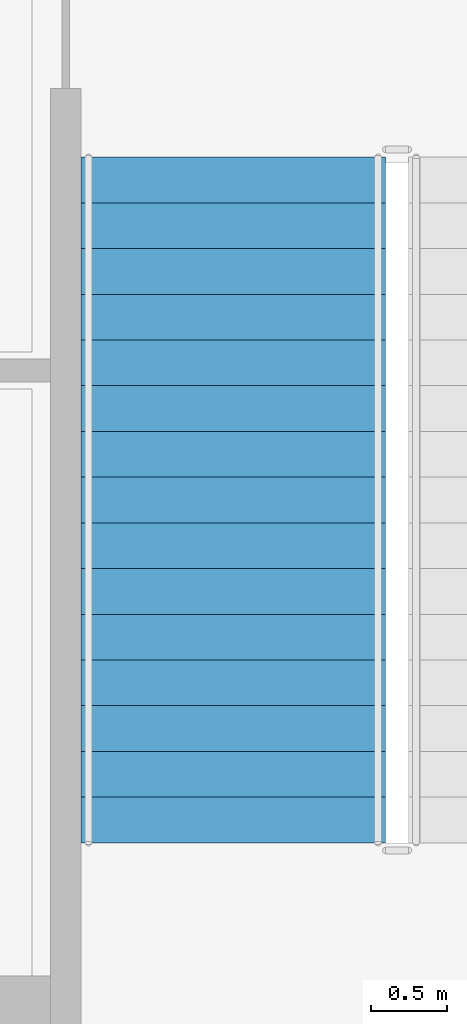
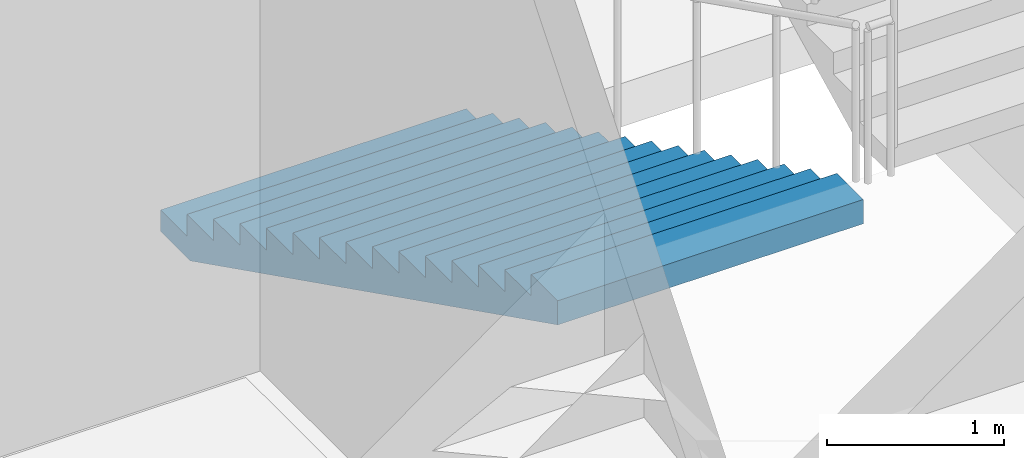
# One storey, part 56 of 67: 1 stair flight, 1 element without a shape of its own.
"""IFC4 building model written with IfcOpenShell, lengths in metres."""

from ifc_helpers import new_model, si_unit, direction, frame, origin, place, context, subcontext, project, spatial, faceted_brep, material, type_object, element, aggregate, save


model = new_model("IFC4")

# Units and contexts
model_context = context("Model", 3, precision=1e-05, world=origin(), true_north=direction((0.0, 1.0)))
body_context = subcontext(model_context, "Body", "Model", "MODEL_VIEW")
ifc_project = project(units=[si_unit("LENGTHUNIT", "METRE"), si_unit("AREAUNIT", "SQUARE_METRE"), si_unit("VOLUMEUNIT", "CUBIC_METRE"), si_unit("PLANEANGLEUNIT", "RADIAN"), si_unit("MASSUNIT", "GRAM", prefix="KILO")], contexts=[model_context])

# Site, building, storey
site_placement = place(None, origin())
site = spatial("IfcSite", under=ifc_project, at=site_placement, CompositionType="ELEMENT")
building_placement = place(site_placement, origin())
building = spatial("IfcBuilding", under=site, at=building_placement, Name="Kiln Court Media Centre", CompositionType="ELEMENT")
storey_placement = place(building_placement, frame((0.0, 0.0, 19.800048828125)))
storey = spatial("IfcBuildingStorey", under=building, at=storey_placement, Name="L04", CompositionType="ELEMENT", Elevation=19.800048828125)

# Stair, stair flight
ifc_material_1 = material(Name="Concrete C40/50", Category="concrete")
stair_type = type_object("IfcStairType", Name="Concrete C40/50 dog-leg stair 2000 wide, 150 riser", PredefinedType="HALF_TURN_STAIR", material=ifc_material_1)
stair_placement = place(storey_placement, origin())
stair = element("IfcStair", 1, at=stair_placement, inside=storey, type_object=stair_type, Name="ST-08 L04", PredefinedType="HALF_TURN_STAIR")
ifc_material_2 = material(Name="Concrete C40/50", Category="concrete")
stair_flight_type = type_object("IfcStairFlightType", Name="Concrete C40/50 stair flight 2000 wide, 150 riser, 300 going", PredefinedType="STRAIGHT", material=ifc_material_2)
stair_flight_placement = place(storey_placement, frame((30.0, 64.39990234375, 0.0), z_axis=(0.0, 0.0, 1.0), x_axis=(0.0, -1.0, 0.0)))
stair_flight = element("IfcStairFlight", 2, at=stair_flight_placement, type_object=stair_flight_type, Name="L04-ST-5005 flight 5010", NumberOfRisers=16, NumberOfTreads=15, PredefinedType="STRAIGHT", RiserHeight=0.15, TreadLength=0.3, context=body_context, shape_type="Brep", body=[
    faceted_brep([(0.335205078125, -1.0, 0.0), (4.5, -1.0, 2.08251953125), (4.5, -1.0, 2.25), (4.199951171875, -1.0, 2.25), (4.199951171875, -1.0, 2.10009765625), (3.89990234375, -1.0, 2.10009765625), (3.89990234375, -1.0, 1.949951171875), (3.60009765625, -1.0, 1.949951171875), (3.60009765625, -1.0, 1.800048828125), (3.300048828125, -1.0, 1.800048828125), (3.300048828125, -1.0, 1.64990234375), (3.0, -1.0, 1.64990234375), (3.0, -1.0, 1.5), (2.699951171875, -1.0, 1.5), (2.699951171875, -1.0, 1.35009765625), (2.39990234375, -1.0, 1.35009765625), (2.39990234375, -1.0, 1.199951171875), (2.10009765625, -1.0, 1.199951171875), (2.10009765625, -1.0, 1.050048828125), (1.800048828125, -1.0, 1.050048828125), (1.800048828125, -1.0, 0.89990234375), (1.5, -1.0, 0.89990234375), (1.5, -1.0, 0.75), (1.199951171875, -1.0, 0.75), (1.199951171875, -1.0, 0.60009765625), (0.89990234375, -1.0, 0.60009765625), (0.89990234375, -1.0, 0.449951171875), (0.60009765625, -1.0, 0.449951171875), (0.60009765625, -1.0, 0.300048828125), (0.300048828125, -1.0, 0.300048828125), (0.300048828125, -1.0, 0.14990234375), (0.0, -1.0, 0.14990234375), (0.0, -1.0, 0.0), (0.0, 1.0, 0.0), (0.0, 1.0, 0.14990234375), (0.300048828125, 1.0, 0.14990234375), (0.300048828125, 1.0, 0.300048828125), (0.60009765625, 1.0, 0.300048828125), (0.60009765625, 1.0, 0.449951171875), (0.89990234375, 1.0, 0.449951171875), (0.89990234375, 1.0, 0.60009765625), (1.199951171875, 1.0, 0.60009765625), (1.199951171875, 1.0, 0.75), (1.5, 1.0, 0.75), (1.5, 1.0, 0.89990234375), (1.800048828125, 1.0, 0.89990234375), (1.800048828125, 1.0, 1.050048828125), (2.10009765625, 1.0, 1.050048828125), (2.10009765625, 1.0, 1.199951171875), (2.39990234375, 1.0, 1.199951171875), (2.39990234375, 1.0, 1.35009765625), (2.699951171875, 1.0, 1.35009765625), (2.699951171875, 1.0, 1.5), (3.0, 1.0, 1.5), (3.0, 1.0, 1.64990234375), (3.300048828125, 1.0, 1.64990234375), (3.300048828125, 1.0, 1.800048828125), (3.60009765625, 1.0, 1.800048828125), (3.60009765625, 1.0, 1.949951171875), (3.89990234375, 1.0, 1.949951171875), (3.89990234375, 1.0, 2.10009765625), (4.199951171875, 1.0, 2.10009765625), (4.199951171875, 1.0, 2.25), (4.5, 1.0, 2.25), (4.5, 1.0, 2.08251953125), (0.335205078125, 1.0, 0.0), (4.5, 0.10009765625, 2.08251953125), (0.335205078125, 0.10009765625, 0.0), (4.5, 0.080078125, 2.08251953125), (0.335205078125, 0.080078125, 0.0), (4.5, 0.06005859375, 2.08251953125), (0.335205078125, 0.06005859375, 0.0), (4.5, 0.0400390625, 2.08251953125), (0.335205078125, 0.0400390625, 0.0), (4.5, 0.02001953125, 2.08251953125), (0.335205078125, 0.02001953125, 0.0), (4.5, 0.0, 2.08251953125), (0.335205078125, 0.0, 0.0), (4.5, -0.02001953125, 2.08251953125), (0.335205078125, -0.02001953125, 0.0), (4.5, -0.0400390625, 2.08251953125), (0.335205078125, -0.0400390625, 0.0), (4.5, -0.06005859375, 2.08251953125), (0.335205078125, -0.06005859375, 0.0), (4.5, -0.080078125, 2.08251953125), (0.335205078125, -0.080078125, 0.0), (4.5, -0.10009765625, 2.08251953125), (0.335205078125, -0.10009765625, 0.0), (4.5, 0.10009765625, 2.25), (4.5, 0.080078125, 2.25), (4.5, 0.06005859375, 2.25), (4.5, 0.0400390625, 2.25), (4.5, 0.02001953125, 2.25), (4.5, 0.0, 2.25), (4.5, -0.02001953125, 2.25), (4.5, -0.0400390625, 2.25), (4.5, -0.06005859375, 2.25), (4.5, -0.080078125, 2.25), (4.5, -0.10009765625, 2.25), (4.199951171875, 0.10009765625, 2.25), (4.199951171875, 0.080078125, 2.25), (4.199951171875, 0.06005859375, 2.25), (4.199951171875, 0.0400390625, 2.25), (4.199951171875, 0.02001953125, 2.25), (4.199951171875, 0.0, 2.25), (4.199951171875, -0.02001953125, 2.25), (4.199951171875, -0.0400390625, 2.25), (4.199951171875, -0.06005859375, 2.25), (4.199951171875, -0.080078125, 2.25), (4.199951171875, -0.10009765625, 2.25), (4.199951171875, 0.10009765625, 2.10009765625), (4.199951171875, 0.080078125, 2.10009765625), (4.199951171875, 0.06005859375, 2.10009765625), (4.199951171875, 0.0400390625, 2.10009765625), (4.199951171875, 0.02001953125, 2.10009765625), (4.199951171875, 0.0, 2.10009765625), (4.199951171875, -0.02001953125, 2.10009765625), (4.199951171875, -0.0400390625, 2.10009765625), (4.199951171875, -0.06005859375, 2.10009765625), (4.199951171875, -0.080078125, 2.10009765625), (4.199951171875, -0.10009765625, 2.10009765625), (3.89990234375, 0.10009765625, 2.10009765625), (3.89990234375, 0.080078125, 2.10009765625), (3.89990234375, 0.06005859375, 2.10009765625), (3.89990234375, 0.0400390625, 2.10009765625), (3.89990234375, 0.02001953125, 2.10009765625), (3.89990234375, 0.0, 2.10009765625), (3.89990234375, -0.02001953125, 2.10009765625), (3.89990234375, -0.0400390625, 2.10009765625), (3.89990234375, -0.06005859375, 2.10009765625), (3.89990234375, -0.080078125, 2.10009765625), (3.89990234375, -0.10009765625, 2.10009765625), (3.89990234375, 0.10009765625, 1.949951171875), (3.89990234375, 0.080078125, 1.949951171875), (3.89990234375, 0.06005859375, 1.949951171875), (3.89990234375, 0.0400390625, 1.949951171875), (3.89990234375, 0.02001953125, 1.949951171875), (3.89990234375, 0.0, 1.949951171875), (3.89990234375, -0.02001953125, 1.949951171875), (3.89990234375, -0.0400390625, 1.949951171875), (3.89990234375, -0.06005859375, 1.949951171875), (3.89990234375, -0.080078125, 1.949951171875), (3.89990234375, -0.10009765625, 1.949951171875), (3.60009765625, 0.10009765625, 1.949951171875), (3.60009765625, 0.080078125, 1.949951171875), (3.60009765625, 0.06005859375, 1.949951171875), (3.60009765625, 0.0400390625, 1.949951171875), (3.60009765625, 0.02001953125, 1.949951171875), (3.60009765625, 0.0, 1.949951171875), (3.60009765625, -0.02001953125, 1.949951171875), (3.60009765625, -0.0400390625, 1.949951171875), (3.60009765625, -0.06005859375, 1.949951171875), (3.60009765625, -0.080078125, 1.949951171875), (3.60009765625, -0.10009765625, 1.949951171875), (3.60009765625, 0.10009765625, 1.800048828125), (3.60009765625, 0.080078125, 1.800048828125), (3.60009765625, 0.06005859375, 1.800048828125), (3.60009765625, 0.0400390625, 1.800048828125), (3.60009765625, 0.02001953125, 1.800048828125), (3.60009765625, 0.0, 1.800048828125), (3.60009765625, -0.02001953125, 1.800048828125), (3.60009765625, -0.0400390625, 1.800048828125), (3.60009765625, -0.06005859375, 1.800048828125), (3.60009765625, -0.080078125, 1.800048828125), (3.60009765625, -0.10009765625, 1.800048828125), (3.300048828125, 0.10009765625, 1.800048828125), (3.300048828125, 0.080078125, 1.800048828125), (3.300048828125, 0.06005859375, 1.800048828125), (3.300048828125, 0.0400390625, 1.800048828125), (3.300048828125, 0.02001953125, 1.800048828125), (3.300048828125, 0.0, 1.800048828125), (3.300048828125, -0.02001953125, 1.800048828125), (3.300048828125, -0.0400390625, 1.800048828125), (3.300048828125, -0.06005859375, 1.800048828125), (3.300048828125, -0.080078125, 1.800048828125), (3.300048828125, -0.10009765625, 1.800048828125), (3.300048828125, 0.10009765625, 1.64990234375), (3.300048828125, 0.080078125, 1.64990234375), (3.300048828125, 0.06005859375, 1.64990234375), (3.300048828125, 0.0400390625, 1.64990234375), (3.300048828125, 0.02001953125, 1.64990234375), (3.300048828125, 0.0, 1.64990234375), (3.300048828125, -0.02001953125, 1.64990234375), (3.300048828125, -0.0400390625, 1.64990234375), (3.300048828125, -0.06005859375, 1.64990234375), (3.300048828125, -0.080078125, 1.64990234375), (3.300048828125, -0.10009765625, 1.64990234375), (3.0, 0.10009765625, 1.64990234375), (3.0, 0.080078125, 1.64990234375), (3.0, 0.06005859375, 1.64990234375), (3.0, 0.0400390625, 1.64990234375), (3.0, 0.02001953125, 1.64990234375), (3.0, 0.0, 1.64990234375), (3.0, -0.02001953125, 1.64990234375), (3.0, -0.0400390625, 1.64990234375), (3.0, -0.06005859375, 1.64990234375), (3.0, -0.080078125, 1.64990234375), (3.0, -0.10009765625, 1.64990234375), (3.0, 0.10009765625, 1.5), (3.0, 0.080078125, 1.5), (3.0, 0.06005859375, 1.5), (3.0, 0.0400390625, 1.5), (3.0, 0.02001953125, 1.5), (3.0, 0.0, 1.5), (3.0, -0.02001953125, 1.5), (3.0, -0.0400390625, 1.5), (3.0, -0.06005859375, 1.5), (3.0, -0.080078125, 1.5), (3.0, -0.10009765625, 1.5), (2.699951171875, 0.10009765625, 1.5), (2.699951171875, 0.080078125, 1.5), (2.699951171875, 0.06005859375, 1.5), (2.699951171875, 0.0400390625, 1.5), (2.699951171875, 0.02001953125, 1.5), (2.699951171875, 0.0, 1.5), (2.699951171875, -0.02001953125, 1.5), (2.699951171875, -0.0400390625, 1.5), (2.699951171875, -0.06005859375, 1.5), (2.699951171875, -0.080078125, 1.5), (2.699951171875, -0.10009765625, 1.5), (2.699951171875, 0.10009765625, 1.35009765625), (2.699951171875, 0.080078125, 1.35009765625), (2.699951171875, 0.06005859375, 1.35009765625), (2.699951171875, 0.0400390625, 1.35009765625), (2.699951171875, 0.02001953125, 1.35009765625), (2.699951171875, 0.0, 1.35009765625), (2.699951171875, -0.02001953125, 1.35009765625), (2.699951171875, -0.0400390625, 1.35009765625), (2.699951171875, -0.06005859375, 1.35009765625), (2.699951171875, -0.080078125, 1.35009765625), (2.699951171875, -0.10009765625, 1.35009765625), (2.39990234375, 0.10009765625, 1.35009765625), (2.39990234375, 0.080078125, 1.35009765625), (2.39990234375, 0.06005859375, 1.35009765625), (2.39990234375, 0.0400390625, 1.35009765625), (2.39990234375, 0.02001953125, 1.35009765625), (2.39990234375, 0.0, 1.35009765625), (2.39990234375, -0.02001953125, 1.35009765625), (2.39990234375, -0.0400390625, 1.35009765625), (2.39990234375, -0.06005859375, 1.35009765625), (2.39990234375, -0.080078125, 1.35009765625), (2.39990234375, -0.10009765625, 1.35009765625), (2.39990234375, 0.10009765625, 1.199951171875), (2.39990234375, 0.080078125, 1.199951171875), (2.39990234375, 0.06005859375, 1.199951171875), (2.39990234375, 0.0400390625, 1.199951171875), (2.39990234375, 0.02001953125, 1.199951171875), (2.39990234375, 0.0, 1.199951171875), (2.39990234375, -0.02001953125, 1.199951171875), (2.39990234375, -0.0400390625, 1.199951171875), (2.39990234375, -0.06005859375, 1.199951171875), (2.39990234375, -0.080078125, 1.199951171875), (2.39990234375, -0.10009765625, 1.199951171875), (2.10009765625, 0.10009765625, 1.199951171875), (2.10009765625, 0.080078125, 1.199951171875), (2.10009765625, 0.06005859375, 1.199951171875), (2.10009765625, 0.0400390625, 1.199951171875), (2.10009765625, 0.02001953125, 1.199951171875), (2.10009765625, 0.0, 1.199951171875), (2.10009765625, -0.02001953125, 1.199951171875), (2.10009765625, -0.0400390625, 1.199951171875), (2.10009765625, -0.06005859375, 1.199951171875), (2.10009765625, -0.080078125, 1.199951171875), (2.10009765625, -0.10009765625, 1.199951171875), (2.10009765625, 0.10009765625, 1.050048828125), (2.10009765625, 0.080078125, 1.050048828125), (2.10009765625, 0.06005859375, 1.050048828125), (2.10009765625, 0.0400390625, 1.050048828125), (2.10009765625, 0.02001953125, 1.050048828125), (2.10009765625, 0.0, 1.050048828125), (2.10009765625, -0.02001953125, 1.050048828125), (2.10009765625, -0.0400390625, 1.050048828125), (2.10009765625, -0.06005859375, 1.050048828125), (2.10009765625, -0.080078125, 1.050048828125), (2.10009765625, -0.10009765625, 1.050048828125), (1.800048828125, 0.10009765625, 1.050048828125), (1.800048828125, 0.080078125, 1.050048828125), (1.800048828125, 0.06005859375, 1.050048828125), (1.800048828125, 0.0400390625, 1.050048828125), (1.800048828125, 0.02001953125, 1.050048828125), (1.800048828125, 0.0, 1.050048828125), (1.800048828125, -0.02001953125, 1.050048828125), (1.800048828125, -0.0400390625, 1.050048828125), (1.800048828125, -0.06005859375, 1.050048828125), (1.800048828125, -0.080078125, 1.050048828125), (1.800048828125, -0.10009765625, 1.050048828125), (1.800048828125, 0.10009765625, 0.89990234375), (1.800048828125, 0.080078125, 0.89990234375), (1.800048828125, 0.06005859375, 0.89990234375), (1.800048828125, 0.0400390625, 0.89990234375), (1.800048828125, 0.02001953125, 0.89990234375), (1.800048828125, 0.0, 0.89990234375), (1.800048828125, -0.02001953125, 0.89990234375), (1.800048828125, -0.0400390625, 0.89990234375), (1.800048828125, -0.06005859375, 0.89990234375), (1.800048828125, -0.080078125, 0.89990234375), (1.800048828125, -0.10009765625, 0.89990234375), (1.5, 0.10009765625, 0.89990234375), (1.5, 0.080078125, 0.89990234375), (1.5, 0.06005859375, 0.89990234375), (1.5, 0.0400390625, 0.89990234375), (1.5, 0.02001953125, 0.89990234375), (1.5, 0.0, 0.89990234375), (1.5, -0.02001953125, 0.89990234375), (1.5, -0.0400390625, 0.89990234375), (1.5, -0.06005859375, 0.89990234375), (1.5, -0.080078125, 0.89990234375), (1.5, -0.10009765625, 0.89990234375), (1.5, 0.10009765625, 0.75), (1.5, 0.080078125, 0.75), (1.5, 0.06005859375, 0.75), (1.5, 0.0400390625, 0.75), (1.5, 0.02001953125, 0.75), (1.5, 0.0, 0.75), (1.5, -0.02001953125, 0.75), (1.5, -0.0400390625, 0.75), (1.5, -0.06005859375, 0.75), (1.5, -0.080078125, 0.75), (1.5, -0.10009765625, 0.75), (1.199951171875, 0.10009765625, 0.75), (1.199951171875, 0.080078125, 0.75), (1.199951171875, 0.06005859375, 0.75), (1.199951171875, 0.0400390625, 0.75), (1.199951171875, 0.02001953125, 0.75), (1.199951171875, 0.0, 0.75), (1.199951171875, -0.02001953125, 0.75), (1.199951171875, -0.0400390625, 0.75), (1.199951171875, -0.06005859375, 0.75), (1.199951171875, -0.080078125, 0.75), (1.199951171875, -0.10009765625, 0.75), (1.199951171875, 0.10009765625, 0.60009765625), (1.199951171875, 0.080078125, 0.60009765625), (1.199951171875, 0.06005859375, 0.60009765625), (1.199951171875, 0.0400390625, 0.60009765625), (1.199951171875, 0.02001953125, 0.60009765625), (1.199951171875, 0.0, 0.60009765625), (1.199951171875, -0.02001953125, 0.60009765625), (1.199951171875, -0.0400390625, 0.60009765625), (1.199951171875, -0.06005859375, 0.60009765625), (1.199951171875, -0.080078125, 0.60009765625), (1.199951171875, -0.10009765625, 0.60009765625), (0.89990234375, 0.10009765625, 0.60009765625), (0.89990234375, 0.080078125, 0.60009765625), (0.89990234375, 0.06005859375, 0.60009765625), (0.89990234375, 0.0400390625, 0.60009765625), (0.89990234375, 0.02001953125, 0.60009765625), (0.89990234375, 0.0, 0.60009765625), (0.89990234375, -0.02001953125, 0.60009765625), (0.89990234375, -0.0400390625, 0.60009765625), (0.89990234375, -0.06005859375, 0.60009765625), (0.89990234375, -0.080078125, 0.60009765625), (0.89990234375, -0.10009765625, 0.60009765625), (0.89990234375, 0.10009765625, 0.449951171875), (0.89990234375, 0.080078125, 0.449951171875), (0.89990234375, 0.06005859375, 0.449951171875), (0.89990234375, 0.0400390625, 0.449951171875), (0.89990234375, 0.02001953125, 0.449951171875), (0.89990234375, 0.0, 0.449951171875), (0.89990234375, -0.02001953125, 0.449951171875), (0.89990234375, -0.0400390625, 0.449951171875), (0.89990234375, -0.06005859375, 0.449951171875), (0.89990234375, -0.080078125, 0.449951171875), (0.89990234375, -0.10009765625, 0.449951171875), (0.60009765625, 0.10009765625, 0.449951171875), (0.60009765625, 0.080078125, 0.449951171875), (0.60009765625, 0.06005859375, 0.449951171875), (0.60009765625, 0.0400390625, 0.449951171875), (0.60009765625, 0.02001953125, 0.449951171875), (0.60009765625, 0.0, 0.449951171875), (0.60009765625, -0.02001953125, 0.449951171875), (0.60009765625, -0.0400390625, 0.449951171875), (0.60009765625, -0.06005859375, 0.449951171875), (0.60009765625, -0.080078125, 0.449951171875), (0.60009765625, -0.10009765625, 0.449951171875), (0.60009765625, 0.10009765625, 0.300048828125), (0.60009765625, 0.080078125, 0.300048828125), (0.60009765625, 0.06005859375, 0.300048828125), (0.60009765625, 0.0400390625, 0.300048828125), (0.60009765625, 0.02001953125, 0.300048828125), (0.60009765625, 0.0, 0.300048828125), (0.60009765625, -0.02001953125, 0.300048828125), (0.60009765625, -0.0400390625, 0.300048828125), (0.60009765625, -0.06005859375, 0.300048828125), (0.60009765625, -0.080078125, 0.300048828125), (0.60009765625, -0.10009765625, 0.300048828125), (0.300048828125, 0.10009765625, 0.300048828125), (0.300048828125, 0.080078125, 0.300048828125), (0.300048828125, 0.06005859375, 0.300048828125), (0.300048828125, 0.0400390625, 0.300048828125), (0.300048828125, 0.02001953125, 0.300048828125), (0.300048828125, 0.0, 0.300048828125), (0.300048828125, -0.02001953125, 0.300048828125), (0.300048828125, -0.0400390625, 0.300048828125), (0.300048828125, -0.06005859375, 0.300048828125), (0.300048828125, -0.080078125, 0.300048828125), (0.300048828125, -0.10009765625, 0.300048828125), (0.300048828125, 0.10009765625, 0.14990234375), (0.300048828125, 0.080078125, 0.14990234375), (0.300048828125, 0.06005859375, 0.14990234375), (0.300048828125, 0.0400390625, 0.14990234375), (0.300048828125, 0.02001953125, 0.14990234375), (0.300048828125, 0.0, 0.14990234375), (0.300048828125, -0.02001953125, 0.14990234375), (0.300048828125, -0.0400390625, 0.14990234375), (0.300048828125, -0.06005859375, 0.14990234375), (0.300048828125, -0.080078125, 0.14990234375), (0.300048828125, -0.10009765625, 0.14990234375), (0.0, 0.10009765625, 0.14990234375), (0.0, 0.080078125, 0.14990234375), (0.0, 0.06005859375, 0.14990234375), (0.0, 0.0400390625, 0.14990234375), (0.0, 0.02001953125, 0.14990234375), (0.0, 0.0, 0.14990234375), (0.0, -0.02001953125, 0.14990234375), (0.0, -0.0400390625, 0.14990234375), (0.0, -0.06005859375, 0.14990234375), (0.0, -0.080078125, 0.14990234375), (0.0, -0.10009765625, 0.14990234375), (0.0, 0.10009765625, 0.0), (0.0, 0.080078125, 0.0), (0.0, 0.06005859375, 0.0), (0.0, 0.0400390625, 0.0), (0.0, 0.02001953125, 0.0), (0.0, 0.0, 0.0), (0.0, -0.02001953125, 0.0), (0.0, -0.0400390625, 0.0), (0.0, -0.06005859375, 0.0), (0.0, -0.080078125, 0.0), (0.0, -0.10009765625, 0.0)], [[[0, 1, 2, 3, 4, 5, 6, 7, 8, 9, 10, 11, 12, 13, 14, 15, 16, 17, 18, 19, 20, 21, 22, 23, 24, 25, 26, 27, 28, 29, 30, 31, 32]], [[33, 34, 35, 36, 37, 38, 39, 40, 41, 42, 43, 44, 45, 46, 47, 48, 49, 50, 51, 52, 53, 54, 55, 56, 57, 58, 59, 60, 61, 62, 63, 64, 65]], [[65, 64, 66, 67]], [[67, 66, 68, 69]], [[69, 68, 70, 71]], [[71, 70, 72, 73]], [[73, 72, 74, 75]], [[75, 74, 76, 77]], [[77, 76, 78, 79]], [[79, 78, 80, 81]], [[81, 80, 82, 83]], [[83, 82, 84, 85]], [[85, 84, 86, 87]], [[87, 86, 1, 0]], [[64, 63, 88, 66]], [[66, 88, 89, 68]], [[68, 89, 90, 70]], [[70, 90, 91, 72]], [[72, 91, 92, 74]], [[74, 92, 93, 76]], [[76, 93, 94, 78]], [[78, 94, 95, 80]], [[80, 95, 96, 82]], [[82, 96, 97, 84]], [[84, 97, 98, 86]], [[86, 98, 2, 1]], [[63, 62, 99, 88]], [[88, 99, 100, 89]], [[89, 100, 101, 90]], [[90, 101, 102, 91]], [[91, 102, 103, 92]], [[92, 103, 104, 93]], [[93, 104, 105, 94]], [[94, 105, 106, 95]], [[95, 106, 107, 96]], [[96, 107, 108, 97]], [[97, 108, 109, 98]], [[98, 109, 3, 2]], [[62, 61, 110, 99]], [[99, 110, 111, 100]], [[100, 111, 112, 101]], [[101, 112, 113, 102]], [[102, 113, 114, 103]], [[103, 114, 115, 104]], [[104, 115, 116, 105]], [[105, 116, 117, 106]], [[106, 117, 118, 107]], [[107, 118, 119, 108]], [[108, 119, 120, 109]], [[109, 120, 4, 3]], [[61, 60, 121, 110]], [[110, 121, 122, 111]], [[111, 122, 123, 112]], [[112, 123, 124, 113]], [[113, 124, 125, 114]], [[114, 125, 126, 115]], [[115, 126, 127, 116]], [[116, 127, 128, 117]], [[117, 128, 129, 118]], [[118, 129, 130, 119]], [[119, 130, 131, 120]], [[120, 131, 5, 4]], [[60, 59, 132, 121]], [[121, 132, 133, 122]], [[122, 133, 134, 123]], [[123, 134, 135, 124]], [[124, 135, 136, 125]], [[125, 136, 137, 126]], [[126, 137, 138, 127]], [[127, 138, 139, 128]], [[128, 139, 140, 129]], [[129, 140, 141, 130]], [[130, 141, 142, 131]], [[131, 142, 6, 5]], [[59, 58, 143, 132]], [[132, 143, 144, 133]], [[133, 144, 145, 134]], [[134, 145, 146, 135]], [[135, 146, 147, 136]], [[136, 147, 148, 137]], [[137, 148, 149, 138]], [[138, 149, 150, 139]], [[139, 150, 151, 140]], [[140, 151, 152, 141]], [[141, 152, 153, 142]], [[142, 153, 7, 6]], [[58, 57, 154, 143]], [[143, 154, 155, 144]], [[144, 155, 156, 145]], [[145, 156, 157, 146]], [[146, 157, 158, 147]], [[147, 158, 159, 148]], [[148, 159, 160, 149]], [[149, 160, 161, 150]], [[150, 161, 162, 151]], [[151, 162, 163, 152]], [[152, 163, 164, 153]], [[153, 164, 8, 7]], [[57, 56, 165, 154]], [[154, 165, 166, 155]], [[155, 166, 167, 156]], [[156, 167, 168, 157]], [[157, 168, 169, 158]], [[158, 169, 170, 159]], [[159, 170, 171, 160]], [[160, 171, 172, 161]], [[161, 172, 173, 162]], [[162, 173, 174, 163]], [[163, 174, 175, 164]], [[164, 175, 9, 8]], [[56, 55, 176, 165]], [[165, 176, 177, 166]], [[166, 177, 178, 167]], [[167, 178, 179, 168]], [[168, 179, 180, 169]], [[169, 180, 181, 170]], [[170, 181, 182, 171]], [[171, 182, 183, 172]], [[172, 183, 184, 173]], [[173, 184, 185, 174]], [[174, 185, 186, 175]], [[175, 186, 10, 9]], [[55, 54, 187, 176]], [[176, 187, 188, 177]], [[177, 188, 189, 178]], [[178, 189, 190, 179]], [[179, 190, 191, 180]], [[180, 191, 192, 181]], [[181, 192, 193, 182]], [[182, 193, 194, 183]], [[183, 194, 195, 184]], [[184, 195, 196, 185]], [[185, 196, 197, 186]], [[186, 197, 11, 10]], [[54, 53, 198, 187]], [[187, 198, 199, 188]], [[188, 199, 200, 189]], [[189, 200, 201, 190]], [[190, 201, 202, 191]], [[191, 202, 203, 192]], [[192, 203, 204, 193]], [[193, 204, 205, 194]], [[194, 205, 206, 195]], [[195, 206, 207, 196]], [[196, 207, 208, 197]], [[197, 208, 12, 11]], [[53, 52, 209, 198]], [[198, 209, 210, 199]], [[199, 210, 211, 200]], [[200, 211, 212, 201]], [[201, 212, 213, 202]], [[202, 213, 214, 203]], [[203, 214, 215, 204]], [[204, 215, 216, 205]], [[205, 216, 217, 206]], [[206, 217, 218, 207]], [[207, 218, 219, 208]], [[208, 219, 13, 12]], [[52, 51, 220, 209]], [[209, 220, 221, 210]], [[210, 221, 222, 211]], [[211, 222, 223, 212]], [[212, 223, 224, 213]], [[213, 224, 225, 214]], [[214, 225, 226, 215]], [[215, 226, 227, 216]], [[216, 227, 228, 217]], [[217, 228, 229, 218]], [[218, 229, 230, 219]], [[219, 230, 14, 13]], [[51, 50, 231, 220]], [[220, 231, 232, 221]], [[221, 232, 233, 222]], [[222, 233, 234, 223]], [[223, 234, 235, 224]], [[224, 235, 236, 225]], [[225, 236, 237, 226]], [[226, 237, 238, 227]], [[227, 238, 239, 228]], [[228, 239, 240, 229]], [[229, 240, 241, 230]], [[230, 241, 15, 14]], [[50, 49, 242, 231]], [[231, 242, 243, 232]], [[232, 243, 244, 233]], [[233, 244, 245, 234]], [[234, 245, 246, 235]], [[235, 246, 247, 236]], [[236, 247, 248, 237]], [[237, 248, 249, 238]], [[238, 249, 250, 239]], [[239, 250, 251, 240]], [[240, 251, 252, 241]], [[241, 252, 16, 15]], [[49, 48, 253, 242]], [[242, 253, 254, 243]], [[243, 254, 255, 244]], [[244, 255, 256, 245]], [[245, 256, 257, 246]], [[246, 257, 258, 247]], [[247, 258, 259, 248]], [[248, 259, 260, 249]], [[249, 260, 261, 250]], [[250, 261, 262, 251]], [[251, 262, 263, 252]], [[252, 263, 17, 16]], [[48, 47, 264, 253]], [[253, 264, 265, 254]], [[254, 265, 266, 255]], [[255, 266, 267, 256]], [[256, 267, 268, 257]], [[257, 268, 269, 258]], [[258, 269, 270, 259]], [[259, 270, 271, 260]], [[260, 271, 272, 261]], [[261, 272, 273, 262]], [[262, 273, 274, 263]], [[263, 274, 18, 17]], [[47, 46, 275, 264]], [[264, 275, 276, 265]], [[265, 276, 277, 266]], [[266, 277, 278, 267]], [[267, 278, 279, 268]], [[268, 279, 280, 269]], [[269, 280, 281, 270]], [[270, 281, 282, 271]], [[271, 282, 283, 272]], [[272, 283, 284, 273]], [[273, 284, 285, 274]], [[274, 285, 19, 18]], [[46, 45, 286, 275]], [[275, 286, 287, 276]], [[276, 287, 288, 277]], [[277, 288, 289, 278]], [[278, 289, 290, 279]], [[279, 290, 291, 280]], [[280, 291, 292, 281]], [[281, 292, 293, 282]], [[282, 293, 294, 283]], [[283, 294, 295, 284]], [[284, 295, 296, 285]], [[285, 296, 20, 19]], [[45, 44, 297, 286]], [[286, 297, 298, 287]], [[287, 298, 299, 288]], [[288, 299, 300, 289]], [[289, 300, 301, 290]], [[290, 301, 302, 291]], [[291, 302, 303, 292]], [[292, 303, 304, 293]], [[293, 304, 305, 294]], [[294, 305, 306, 295]], [[295, 306, 307, 296]], [[296, 307, 21, 20]], [[44, 43, 308, 297]], [[297, 308, 309, 298]], [[298, 309, 310, 299]], [[299, 310, 311, 300]], [[300, 311, 312, 301]], [[301, 312, 313, 302]], [[302, 313, 314, 303]], [[303, 314, 315, 304]], [[304, 315, 316, 305]], [[305, 316, 317, 306]], [[306, 317, 318, 307]], [[307, 318, 22, 21]], [[43, 42, 319, 308]], [[308, 319, 320, 309]], [[309, 320, 321, 310]], [[310, 321, 322, 311]], [[311, 322, 323, 312]], [[312, 323, 324, 313]], [[313, 324, 325, 314]], [[314, 325, 326, 315]], [[315, 326, 327, 316]], [[316, 327, 328, 317]], [[317, 328, 329, 318]], [[318, 329, 23, 22]], [[42, 41, 330, 319]], [[319, 330, 331, 320]], [[320, 331, 332, 321]], [[321, 332, 333, 322]], [[322, 333, 334, 323]], [[323, 334, 335, 324]], [[324, 335, 336, 325]], [[325, 336, 337, 326]], [[326, 337, 338, 327]], [[327, 338, 339, 328]], [[328, 339, 340, 329]], [[329, 340, 24, 23]], [[41, 40, 341, 330]], [[330, 341, 342, 331]], [[331, 342, 343, 332]], [[332, 343, 344, 333]], [[333, 344, 345, 334]], [[334, 345, 346, 335]], [[335, 346, 347, 336]], [[336, 347, 348, 337]], [[337, 348, 349, 338]], [[338, 349, 350, 339]], [[339, 350, 351, 340]], [[340, 351, 25, 24]], [[40, 39, 352, 341]], [[341, 352, 353, 342]], [[342, 353, 354, 343]], [[343, 354, 355, 344]], [[344, 355, 356, 345]], [[345, 356, 357, 346]], [[346, 357, 358, 347]], [[347, 358, 359, 348]], [[348, 359, 360, 349]], [[349, 360, 361, 350]], [[350, 361, 362, 351]], [[351, 362, 26, 25]], [[39, 38, 363, 352]], [[352, 363, 364, 353]], [[353, 364, 365, 354]], [[354, 365, 366, 355]], [[355, 366, 367, 356]], [[356, 367, 368, 357]], [[357, 368, 369, 358]], [[358, 369, 370, 359]], [[359, 370, 371, 360]], [[360, 371, 372, 361]], [[361, 372, 373, 362]], [[362, 373, 27, 26]], [[38, 37, 374, 363]], [[363, 374, 375, 364]], [[364, 375, 376, 365]], [[365, 376, 377, 366]], [[366, 377, 378, 367]], [[367, 378, 379, 368]], [[368, 379, 380, 369]], [[369, 380, 381, 370]], [[370, 381, 382, 371]], [[371, 382, 383, 372]], [[372, 383, 384, 373]], [[373, 384, 28, 27]], [[37, 36, 385, 374]], [[374, 385, 386, 375]], [[375, 386, 387, 376]], [[376, 387, 388, 377]], [[377, 388, 389, 378]], [[378, 389, 390, 379]], [[379, 390, 391, 380]], [[380, 391, 392, 381]], [[381, 392, 393, 382]], [[382, 393, 394, 383]], [[383, 394, 395, 384]], [[384, 395, 29, 28]], [[36, 35, 396, 385]], [[385, 396, 397, 386]], [[386, 397, 398, 387]], [[387, 398, 399, 388]], [[388, 399, 400, 389]], [[389, 400, 401, 390]], [[390, 401, 402, 391]], [[391, 402, 403, 392]], [[392, 403, 404, 393]], [[393, 404, 405, 394]], [[394, 405, 406, 395]], [[395, 406, 30, 29]], [[35, 34, 407, 396]], [[396, 407, 408, 397]], [[397, 408, 409, 398]], [[398, 409, 410, 399]], [[399, 410, 411, 400]], [[400, 411, 412, 401]], [[401, 412, 413, 402]], [[402, 413, 414, 403]], [[403, 414, 415, 404]], [[404, 415, 416, 405]], [[405, 416, 417, 406]], [[406, 417, 31, 30]], [[34, 33, 418, 407]], [[407, 418, 419, 408]], [[408, 419, 420, 409]], [[409, 420, 421, 410]], [[410, 421, 422, 411]], [[411, 422, 423, 412]], [[412, 423, 424, 413]], [[413, 424, 425, 414]], [[414, 425, 426, 415]], [[415, 426, 427, 416]], [[416, 427, 428, 417]], [[417, 428, 32, 31]], [[33, 65, 67, 418]], [[418, 67, 69, 419]], [[419, 69, 71, 420]], [[420, 71, 73, 421]], [[421, 73, 75, 422]], [[422, 75, 77, 423]], [[423, 77, 79, 424]], [[424, 79, 81, 425]], [[425, 81, 83, 426]], [[426, 83, 85, 427]], [[427, 85, 87, 428]], [[428, 87, 0, 32]]]),
])
aggregate(stair, [stair_flight])

save(model, "model.ifc")
